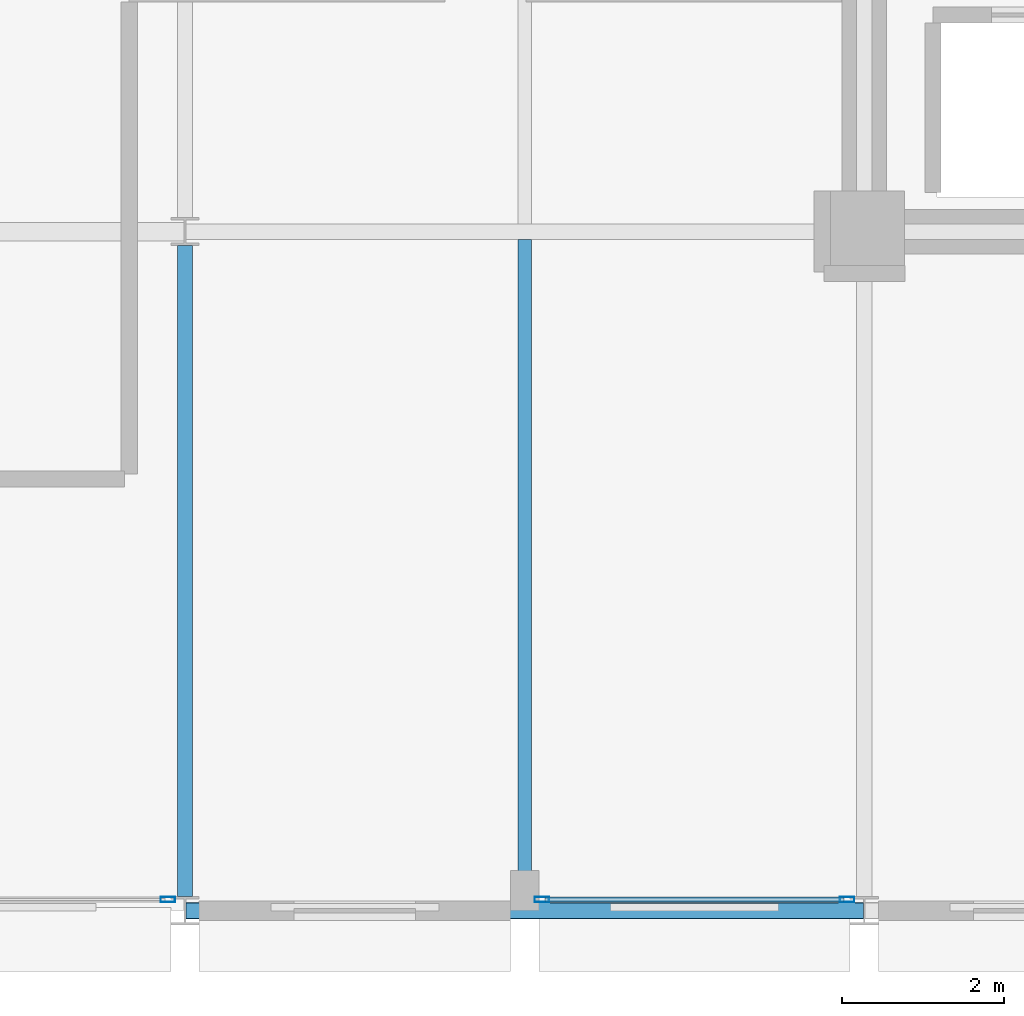
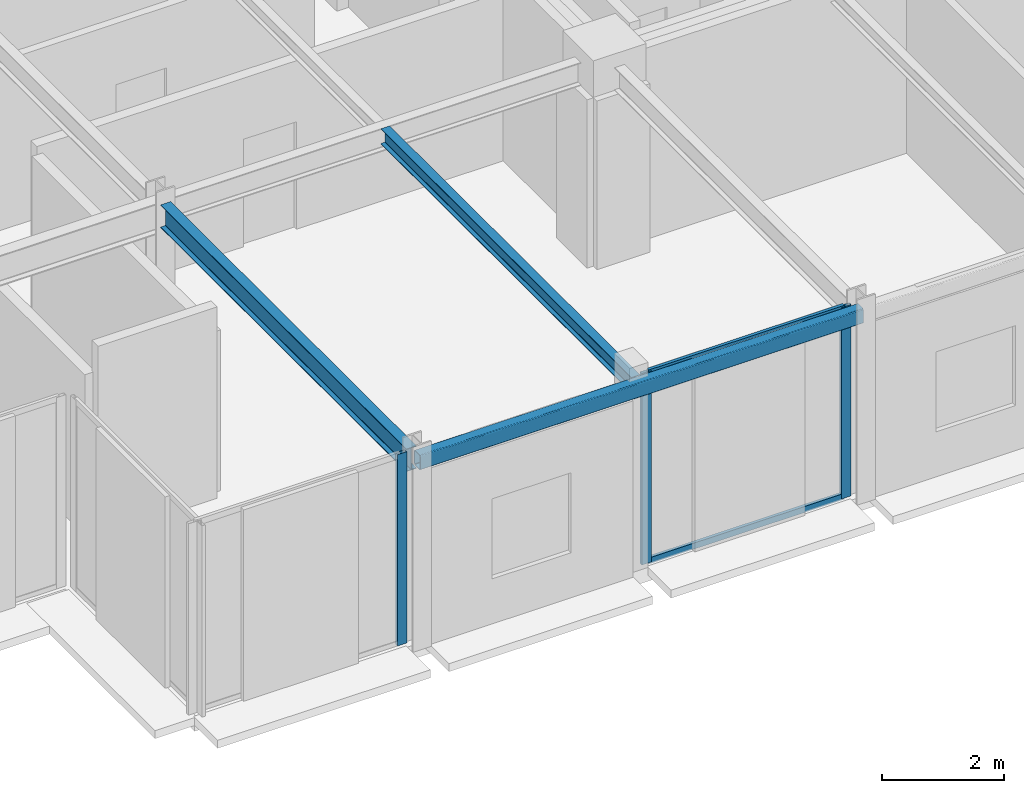
# One storey, part 6 of 29: 5 members, 3 beams, 2 elements without a shape of their own.
"""IFC4 building model written with IfcOpenShell, lengths in metres."""

from ifc_helpers import new_model, si_unit, direction, frame, origin, origin_2d, place, context, subcontext, project, spatial, hollow_rectangle, i_section, extrude, material, layer, layer_set, material_profile, profile_set, type_object, element, aggregate, save


model = new_model("IFC4")

# Units and contexts
model_context = context("Model", 3, precision=1e-05, world=origin(), true_north=direction((0.0, 1.0)))
body_context = subcontext(model_context, "Body", "Model", "MODEL_VIEW")
ifc_project = project(units=[si_unit("LENGTHUNIT", "METRE"), si_unit("AREAUNIT", "SQUARE_METRE"), si_unit("VOLUMEUNIT", "CUBIC_METRE"), si_unit("PLANEANGLEUNIT", "RADIAN"), si_unit("MASSUNIT", "GRAM", prefix="KILO")], contexts=[model_context])

# Site, building, storey
site_placement = place(None, origin())
site = spatial("IfcSite", under=ifc_project, at=site_placement, CompositionType="ELEMENT")
building_placement = place(site_placement, origin())
building = spatial("IfcBuilding", under=site, at=building_placement, Name="Nerrivon Quay Data Exchange", CompositionType="ELEMENT")
storey_placement = place(building_placement, frame((0.0, 0.0, 204.199951171875)))
storey = spatial("IfcBuildingStorey", under=building, at=storey_placement, Name="L48", CompositionType="ELEMENT", Elevation=204.199951171875)

# Beams
ifc_material_1 = material(Name="Steel Grade 350", Category="steel")
ifc_material_profile_1 = material_profile(ifc_material_1, i_section(OverallWidth=0.18994140625, OverallDepth=0.4541015625, WebThickness=0.008544921875, FlangeThickness=0.0126953125, FilletRadius=0.011474609375, at=origin_2d()), Name="460UB67.1")
ifc_profile_set_1 = profile_set([ifc_material_profile_1], Name="Steel Grade 350")
beam_type_1 = type_object("IfcBeamType", Name="BM-G6-460UB67", PredefinedType="BEAM", material=ifc_profile_set_1)
beam_1_placement = place(storey_placement, frame((8.39990234375, 0.175048828125, 3.59814453125), z_axis=(0.0, 1.0, 0.0), x_axis=(-1.0, 0.0, 0.0)))
element("IfcBeam", 1, at=beam_1_placement, inside=storey, type_object=beam_type_1, Name="L48 NS Girder X=8.4 (0.0..8.4)", PredefinedType="BEAM", context=body_context, shape_type="SweptSolid", body=[
    extrude(i_section(OverallWidth=0.18994140625, OverallDepth=0.4541015625, WebThickness=0.008544921875, FlangeThickness=0.0126953125, FilletRadius=0.011474609375, at=origin_2d()), origin(), (0.0, 0.0, 1.0), 8.050048828125),
])
ifc_material_profile_2 = material_profile(ifc_material_1, i_section(OverallWidth=0.166015625, OverallDepth=0.306884765625, WebThickness=0.006591796875, FlangeThickness=0.01171875, FilletRadius=0.011474609375, at=origin_2d()), Name="310UB46.2")
ifc_profile_set_2 = profile_set([ifc_material_profile_2], Name="Steel Grade 350")
beam_type_2 = type_object("IfcBeamType", Name="BM-J5-310UB46", PredefinedType="JOIST", material=ifc_profile_set_2)
beam_2_placement = place(storey_placement, frame((12.60009765625, 0.10009765625, 3.671630859375), z_axis=(0.0, 1.0, 0.0), x_axis=(-1.0, 0.0, 0.0)))
element("IfcBeam", 2, at=beam_2_placement, inside=storey, type_object=beam_type_2, Name="L48 Secondary Joist X=12.6 (0.0..8.4)", PredefinedType="JOIST", context=body_context, shape_type="SweptSolid", body=[
    extrude(i_section(OverallWidth=0.166015625, OverallDepth=0.306884765625, WebThickness=0.006591796875, FlangeThickness=0.01171875, FilletRadius=0.011474609375, at=origin_2d()), origin(), (0.0, 0.0, 1.0), 8.204345703125),
])
ifc_material_2 = material(Name="Steel Grade C350L0 (350 MPa)", Category="steel")
ifc_material_profile_3 = material_profile(ifc_material_2, hollow_rectangle(XDim=0.199951171875, YDim=0.300048828125, WallThickness=0.012451171875, InnerFilletRadius=0.018798828125, OuterFilletRadius=0.03125, at=origin_2d()), Name="300x200x12.5RHS")
ifc_profile_set_3 = profile_set([ifc_material_profile_3], Name="Steel Grade C350L0 (350 MPa)")
beam_type_3 = type_object("IfcBeamType", Name="BM-SP3-300x200RHS", PredefinedType="SPANDREL", material=ifc_profile_set_3)
beam_3_placement = place(storey_placement, frame((8.409912109375, 0.0, 3.675048828125), z_axis=(1.0, 0.0, 0.0), x_axis=(0.0, 1.0, 0.0)))
element("IfcBeam", 3, at=beam_3_placement, inside=storey, type_object=beam_type_3, Name="L48 EW Girder Y=0.0 (8.4..16.8)", PredefinedType="SPANDREL", context=body_context, shape_type="SweptSolid", body=[
    extrude(hollow_rectangle(XDim=0.199951171875, YDim=0.300048828125, WallThickness=0.012451171875, InnerFilletRadius=0.018798828125, OuterFilletRadius=0.03125, at=origin_2d()), origin(), (0.0, 0.0, 1.0), 8.380126953125),
])

# Curtain wall, members
ifc_material_3 = material(Name="Anodised aluminium 6063-T6", Category="aluminium")
ifc_layer = layer(ifc_material_3, 0.195068359375)
ifc_layer_set = layer_set([ifc_layer], Name="Anodised aluminium 6063-T6")
curtain_wall_type = type_object("IfcCurtainWallType", Name="CW-SYS-06", PredefinedType="NOTDEFINED", material=ifc_layer_set)
curtain_wall_1_placement = place(storey_placement, origin())
curtain_wall_1 = element("IfcCurtainWall", 4, at=curtain_wall_1_placement, inside=storey, type_object=curtain_wall_type, Name="L48 Unitised Curtain Wall 26", PredefinedType="NOTDEFINED")
ifc_material_profile_4 = material_profile(ifc_material_3, hollow_rectangle(XDim=0.06494140625, YDim=0.179931640625, WallThickness=0.00341796875, at=origin_2d()), Name="ALU-MULL-180x65")
ifc_profile_set_4 = profile_set([ifc_material_profile_4], Name="Anodised aluminium 6063-T6")
member_type_1 = type_object("IfcMemberType", Name="CWM-180x65", PredefinedType="MULLION", material=ifc_profile_set_4)
member_1_placement = place(storey_placement, frame((16.58740234375, 0.139892578125, 0.0), z_axis=(0.0, 0.0, 1.0), x_axis=(0.0, -1.0, 0.0)))
member_1 = element("IfcMember", 5, at=member_1_placement, type_object=member_type_1, Name="CW06 mullion 1", PredefinedType="MULLION", context=body_context, shape_type="SweptSolid", body=[
    extrude(hollow_rectangle(XDim=0.06494140625, YDim=0.179931640625, WallThickness=0.00341796875, at=origin_2d()), origin(), (0.0, 0.0, 1.0), 3.824951171875),
])
member_2_placement = place(storey_placement, frame((12.8125, 0.139892578125, 0.0), z_axis=(0.0, 0.0, 1.0), x_axis=(0.0, -1.0, 0.0)))
member_2 = element("IfcMember", 6, at=member_2_placement, type_object=member_type_1, Name="CW06 mullion 2", PredefinedType="MULLION", context=body_context, shape_type="SweptSolid", body=[
    extrude(hollow_rectangle(XDim=0.06494140625, YDim=0.179931640625, WallThickness=0.00341796875, at=origin_2d()), origin(), (0.0, 0.0, 1.0), 3.824951171875),
])

# Curtain wall, member
curtain_wall_2_placement = place(storey_placement, origin())
curtain_wall_2 = element("IfcCurtainWall", 7, at=curtain_wall_2_placement, inside=storey, type_object=curtain_wall_type, Name="L48 Unitised Curtain Wall 28", PredefinedType="NOTDEFINED")
member_3_placement = place(storey_placement, frame((8.1875, 0.139892578125, 0.0), z_axis=(0.0, 0.0, 1.0), x_axis=(0.0, -1.0, 0.0)))
member_3 = element("IfcMember", 8, at=member_3_placement, type_object=member_type_1, Name="CW06 mullion 1", PredefinedType="MULLION", context=body_context, shape_type="SweptSolid", body=[
    extrude(hollow_rectangle(XDim=0.06494140625, YDim=0.179931640625, WallThickness=0.00341796875, at=origin_2d()), origin(), (0.0, 0.0, 1.0), 3.824951171875),
])
aggregate(curtain_wall_2, [member_3])

# Member
ifc_material_profile_5 = material_profile(ifc_material_3, hollow_rectangle(XDim=0.06005859375, YDim=0.1201171875, WallThickness=0.003173828125, at=origin_2d()), Name="ALU-TRAN-120x60")
ifc_profile_set_5 = profile_set([ifc_material_profile_5], Name="Anodised aluminium 6063-T6")
member_type_2 = type_object("IfcMemberType", Name="CWT-120x60", PredefinedType="USERDEFINED", material=ifc_profile_set_5)
member_4_placement = place(storey_placement, frame((16.550048828125, 0.139892578125, 0.032470703125), z_axis=(-1.0, 0.0, 0.0), x_axis=(0.0, -1.0, 0.0)))
member_4 = element("IfcMember", 9, at=member_4_placement, type_object=member_type_2, Name="CW06 transom 1.1", ObjectType="TRANSOM", PredefinedType="USERDEFINED", context=body_context, shape_type="SweptSolid", body=[
    extrude(hollow_rectangle(XDim=0.06005859375, YDim=0.1201171875, WallThickness=0.003173828125, at=origin_2d()), origin(), (0.0, 0.0, 1.0), 3.699951171875),
])

member_5_placement = place(storey_placement, frame((16.550048828125, 0.139892578125, 3.79248046875), z_axis=(-1.0, 0.0, 0.0), x_axis=(0.0, -1.0, 0.0)))
member_5 = element("IfcMember", 10, at=member_5_placement, type_object=member_type_2, Name="CW06 transom 1.2", ObjectType="TRANSOM", PredefinedType="USERDEFINED", context=body_context, shape_type="SweptSolid", body=[
    extrude(hollow_rectangle(XDim=0.06005859375, YDim=0.1201171875, WallThickness=0.003173828125, at=origin_2d()), origin(), (0.0, 0.0, 1.0), 3.699951171875),
])

aggregate(curtain_wall_1, [member_1, member_2, member_4, member_5])

save(model, "model.ifc")
